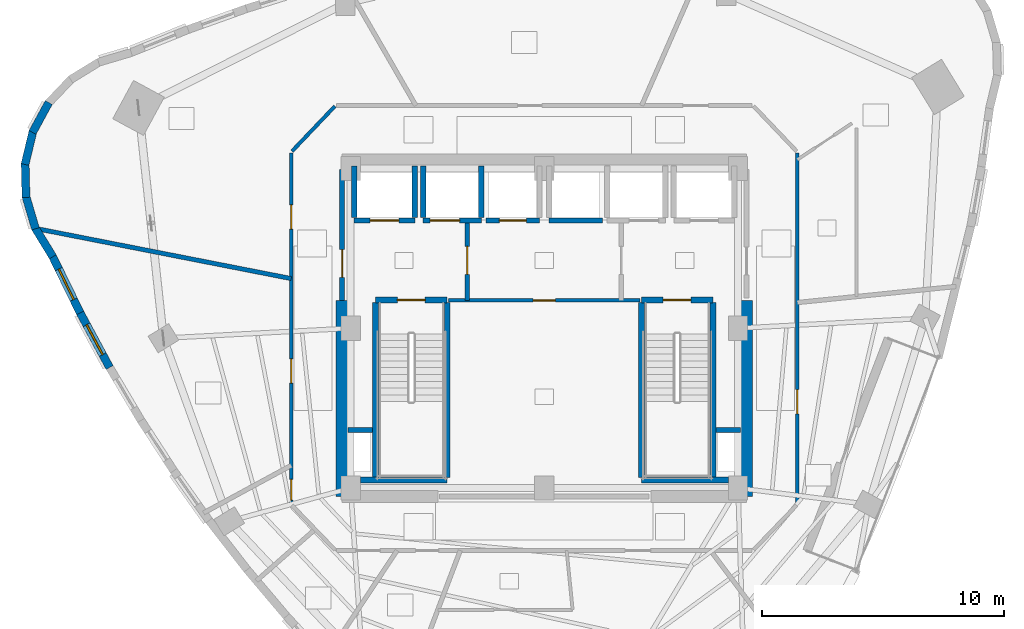
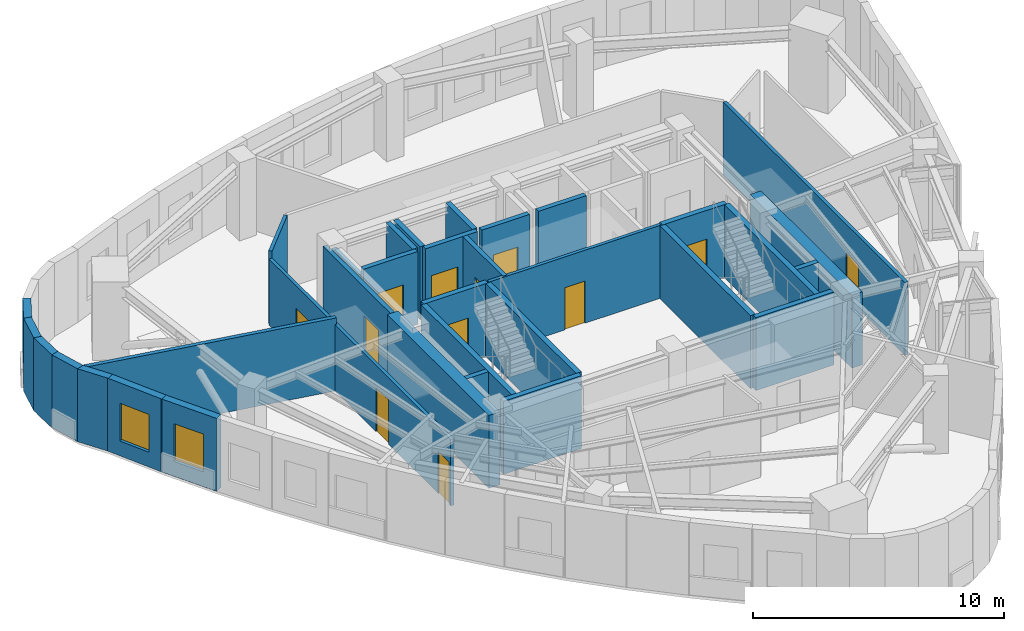
# One storey, part 5 of 10: 34 walls, 12 doors, 2 windows, 14 openings.
"""IFC4 building model written with IfcOpenShell, lengths in metres."""

import ifcopenshell
import ifcopenshell.guid

model = None  # the IFC model being written
_history = None  # IfcOwnerHistory: only IFC2X3 demands one
_inside = {}  # id of a spatial element -> (the spatial element, [elements in it])
_under = {}  # id of a project, library or spatial element -> (it, [spatial elements below it])
_declared = {}  # id of a project -> (the project, [libraries it declares])
_typed = {}  # id of a type object -> (the type object, [elements of that type])
_made_of = {}  # id of a material, layer set ... -> (it, [elements and type objects made of it])


def new_model(schema):
    """Start an empty IFC model of exactly this schema.

    Asked for "IFC4X3", IfcOpenShell would pick the latest addendum, in which some entities
    have other attributes; the version numbers below select the first issue.
    IFC2X3 requires an IfcOwnerHistory on every rooted entity: one is made here for all.
    """
    global model, _history
    if schema == "IFC4X3":
        model = ifcopenshell.file(schema_version=(4, 3, 0, 0))
    else:
        model = ifcopenshell.file(schema=schema)
    _inside.clear()
    _under.clear()
    _declared.clear()
    _typed.clear()
    _made_of.clear()
    _history = None
    if model.schema == "IFC2X3":
        org = make("IfcOrganization", Name="unknown")
        user = make(
            "IfcPersonAndOrganization",
            ThePerson=make("IfcPerson", FamilyName="unknown"),
            TheOrganization=org,
        )
        app = make(
            "IfcApplication",
            ApplicationDeveloper=org,
            Version="unknown",
            ApplicationFullName="unknown",
            ApplicationIdentifier="unknown",
        )
        _history = make(
            "IfcOwnerHistory",
            OwningUser=user,
            OwningApplication=app,
            ChangeAction="ADDED",
            CreationDate=0,
        )
    return model


def make(cls, **values):
    """One entity of the class cls with the attributes given. An attribute that is None is left unset."""
    return model.create_entity(
        cls, **{name: value for name, value in values.items() if value is not None}
    )


def rooted(cls, **values):
    """An entity with a GlobalId (a new one), such as an element, a storey or a relation."""
    return make(cls, GlobalId=ifcopenshell.guid.new(), OwnerHistory=_history, **values)


def si_unit(unit_type, name, prefix=None):
    """IfcSIUnit, for example si_unit("LENGTHUNIT", "METRE", prefix="MILLI")."""
    return make("IfcSIUnit", UnitType=unit_type, Prefix=prefix, Name=name)


def assignment(units):
    """IfcUnitAssignment: the units of a project."""
    return None if units is None else make("IfcUnitAssignment", Units=units)


def point(xyz):
    """IfcCartesianPoint."""
    return None if xyz is None else make("IfcCartesianPoint", Coordinates=xyz)


def direction(xyz):
    """IfcDirection."""
    return None if xyz is None else make("IfcDirection", DirectionRatios=xyz)


def frame(location, z_axis=None, x_axis=None):
    """IfcAxis2Placement3D, a coordinate frame: its origin and axes. An axis left out is left unset."""
    return make(
        "IfcAxis2Placement3D",
        Location=point(location),
        Axis=direction(z_axis),
        RefDirection=direction(x_axis),
    )


def frame_2d(location, x_axis=None):
    """IfcAxis2Placement2D, a coordinate frame in the plane: its origin and x axis."""
    return make(
        "IfcAxis2Placement2D", Location=point(location), RefDirection=direction(x_axis)
    )


def origin():
    """The frame at (0, 0, 0) with its axes left unset."""
    return frame((0.0, 0.0, 0.0))


def place(relative_to, where):
    """IfcLocalPlacement: puts the frame where relative to a parent placement (None: the world)."""
    return make(
        "IfcLocalPlacement", PlacementRelTo=relative_to, RelativePlacement=where
    )


def context(
    kind, dimensions, precision=None, world=None, true_north=None, identifier=None
):
    """IfcGeometricRepresentationContext, for example the 3D "Model" context."""
    return make(
        "IfcGeometricRepresentationContext",
        ContextIdentifier=identifier,
        ContextType=kind,
        CoordinateSpaceDimension=dimensions,
        Precision=precision,
        WorldCoordinateSystem=world,
        TrueNorth=true_north,
    )


def subcontext(parent, identifier, kind, view, scale=None):
    """IfcGeometricRepresentationSubContext, for example "Body" below "Model"."""
    return make(
        "IfcGeometricRepresentationSubContext",
        ContextIdentifier=identifier,
        ContextType=kind,
        ParentContext=parent,
        TargetScale=scale,
        TargetView=view,
    )


def project(units=None, contexts=None):
    """IfcProject with its units and contexts."""
    return rooted(
        "IfcProject",
        Name="project",
        RepresentationContexts=contexts,
        UnitsInContext=assignment(units),
    )


def spatial(cls, under=None, at=None, **own):
    """A site, building, storey or space (cls), placed at a placement, below another one or the project."""
    s = rooted(cls, ObjectPlacement=at, **own)
    if under is not None:
        _under.setdefault(under.id(), (under, []))[1].append(s)
    return s


def profile(cls, at=None, kind="AREA", **sizes):
    """A parametric profile (cls). Its sizes go by their IFC names, for example OverallWidth=200.0."""
    return make(cls, ProfileType=kind, Position=at, **sizes)


def rectangle(**sizes):
    """IfcRectangleProfileDef."""
    return profile("IfcRectangleProfileDef", **sizes)


def extrude(swept, where, along, depth):
    """IfcExtrudedAreaSolid: the profile swept, set in the frame where, extruded along a direction by depth."""
    return make(
        "IfcExtrudedAreaSolid",
        SweptArea=swept,
        Position=where,
        ExtrudedDirection=direction(along),
        Depth=depth,
    )


def shape(context_of_items, identifier, shape_type, items):
    """IfcShapeRepresentation: the items that make up one representation, for example the "Body"."""
    return make(
        "IfcShapeRepresentation",
        ContextOfItems=context_of_items,
        RepresentationIdentifier=identifier,
        RepresentationType=shape_type,
        Items=items,
    )


def material(Name=None, Category=None):
    """IfcMaterial."""
    return make("IfcMaterial", Name=Name, Category=Category)


def layer(
    of_material, thickness, ventilated=None, Name=None, Category=None, Priority=None
):
    """IfcMaterialLayer: one layer of a wall or slab, of a material (None: an air gap)."""
    return make(
        "IfcMaterialLayer",
        Material=of_material,
        LayerThickness=thickness,
        IsVentilated=ventilated,
        Name=Name,
        Category=Category,
        Priority=Priority,
    )


def layer_set(layers, Name=None):
    """IfcMaterialLayerSet."""
    return make("IfcMaterialLayerSet", MaterialLayers=layers, LayerSetName=Name)


def made_of(thing, what):
    """Note that an element or type object is made of a material, layer set ...; save() writes the relation."""
    if what is not None:
        _made_of.setdefault(what.id(), (what, []))[1].append(thing)
    return thing


def type_object(cls, material=None, **own):
    """A type object (cls), such as IfcWallType, which elements share."""
    return made_of(rooted(cls, **own), material)


def element(
    cls,
    number,
    at=None,
    inside=None,
    cuts=None,
    type_object=None,
    material=None,
    context=None,
    identifier="Body",
    shape_type=None,
    held_by="IfcProductDefinitionShape",
    body=None,
    shapes=None,
    **own,
):
    """One element of the class cls, such as IfcWall. Its Tag is "e" and its number.

    at: its placement. inside: the storey or other place that contains it. cuts: it is an
    opening in that element (IfcRelVoidsElement). A single representation is given by context,
    identifier, shape_type and body (its items); several are given by shapes. held_by: the class
    of the entity that holds the representations. save() writes the other relations.
    """
    e = rooted(cls, Tag="e%d" % number, ObjectPlacement=at, **own)
    if body is not None:
        shapes = [shape(context, identifier, shape_type, body)]
    if shapes is not None:
        e.Representation = make(held_by, Representations=shapes)
    if inside is not None:
        _inside.setdefault(inside.id(), (inside, []))[1].append(e)
    if cuts is not None:
        rooted(
            "IfcRelVoidsElement", RelatingBuildingElement=cuts, RelatedOpeningElement=e
        )
    if type_object is not None:
        _typed.setdefault(type_object.id(), (type_object, []))[1].append(e)
    return made_of(e, material)


def fill(opening, filler):
    """IfcRelFillsElement: the door or window that sits in an opening."""
    return rooted(
        "IfcRelFillsElement",
        RelatingOpeningElement=opening,
        RelatedBuildingElement=filler,
    )


def aggregate(whole, parts):
    """IfcRelAggregates: a whole, such as a stair, and the parts it consists of."""
    return rooted("IfcRelAggregates", RelatingObject=whole, RelatedObjects=parts)


def save(model, path):
    """Write the relations noted so far, then the file.

    IfcRelAggregates (storeys below a building ...), IfcRelContainedInSpatialStructure (elements
    in a storey), IfcRelDefinesByType, IfcRelAssociatesMaterial and IfcRelDeclares: one each for
    every whole, place, type object, material and project.
    """
    for whole, parts in _under.values():
        aggregate(whole, parts)
    for where, things in _inside.values():
        rooted(
            "IfcRelContainedInSpatialStructure",
            RelatedElements=things,
            RelatingStructure=where,
        )
    for kind, things in _typed.values():
        rooted("IfcRelDefinesByType", RelatedObjects=things, RelatingType=kind)
    for what, things in _made_of.values():
        rooted("IfcRelAssociatesMaterial", RelatedObjects=things, RelatingMaterial=what)
    for by, libraries in _declared.values():
        rooted("IfcRelDeclares", RelatingContext=by, RelatedDefinitions=libraries)
    model.write(path)


model = new_model("IFC4")

# Units and contexts
model_context = context("Model", 3, precision=1e-05, world=origin(), true_north=direction((0.0, 1.0)))
body_context = subcontext(model_context, "Body", "Model", "MODEL_VIEW")
ifc_project = project(units=[si_unit("LENGTHUNIT", "METRE"), si_unit("AREAUNIT", "SQUARE_METRE"), si_unit("VOLUMEUNIT", "CUBIC_METRE"), si_unit("PLANEANGLEUNIT", "RADIAN"), si_unit("MASSUNIT", "GRAM", prefix="KILO")], contexts=[model_context])

# Site, building, storey
site_placement = place(None, origin())
site = spatial("IfcSite", under=ifc_project, at=site_placement, CompositionType="ELEMENT")
building_placement = place(site_placement, origin())
building = spatial("IfcBuilding", under=site, at=building_placement, Name="Ndelora Gate Hotel", CompositionType="ELEMENT")
storey_placement = place(building_placement, frame((0.0, 0.0, 243.550048828125)))
storey = spatial("IfcBuildingStorey", under=building, at=storey_placement, Name="L61", CompositionType="ELEMENT", Elevation=243.550048828125)

# Walls
ifc_material_1 = material(Name="Acoustic Double-Stud Gypsum Assembly", Category="gypsum")
ifc_layer_1 = layer(ifc_material_1, 0.179931640625)
ifc_layer_set_1 = layer_set([ifc_layer_1], Name="Acoustic Double-Stud Gypsum Assembly")
wall_type_1 = type_object("IfcWallType", Name="WL-ACOUST-180", PredefinedType="PARTITIONING", material=ifc_layer_set_1)
wall_1_placement = place(storey_placement, frame((-10.449951171875, 2.0498046875, 0.0), z_axis=(0.0, 0.0, 1.0), x_axis=(-0.981304682167, 0.192460699252, 0.0)))
element("IfcWall", 1, at=wall_1_placement, inside=storey, type_object=wall_type_1, Name="L61 Interior Wall IW-3", PredefinedType="PARTITIONING", context=body_context, shape_type="SweptSolid", body=[
    extrude(rectangle(XDim=10.767333984375, YDim=0.179931640625, at=frame_2d((5.3837890625, 0.0))), origin(), (0.0, 0.0, 1.0), 3.550048828125),
])
ifc_material_2 = material(Name="Clay Brick Masonry", Category="masonry")
ifc_layer_2 = layer(ifc_material_2, 0.330078125)
ifc_layer_set_2 = layer_set([ifc_layer_2], Name="Clay Brick Masonry")
wall_type_2 = type_object("IfcWallType", Name="WL-BRICK-330", PredefinedType="SOLIDWALL", material=ifc_layer_set_2)
wall_2_placement = place(storey_placement, frame((-21.13720703125, 8.08740234375, 0.0), z_axis=(0.0, 0.0, 1.0), x_axis=(0.477076549129, 0.878861744685, 0.0)))
element("IfcWall", 2, at=wall_2_placement, inside=storey, type_object=wall_type_2, Name="L61 Tower Brick Pier-and-Spandrel Wall TWR-4", PredefinedType="SOLIDWALL", context=body_context, shape_type="SweptSolid", body=[
    extrude(rectangle(XDim=1.4072265625, YDim=0.330078125, at=frame_2d((0.70361328125, 0.0))), origin(), (0.0, 0.0, 1.0), 3.550048828125),
])
for number, where, z_axis, x_axis, name in (
    (3, (-21.447998046875, 6.764892578125, 0.0), (0.0, 0.0, 1.0), (0.233464793771, 0.972365255482, 0.0), "L61 Tower Brick Pier-and-Spandrel Wall TWR-5"),
    (4, (-21.406005859375, 5.4072265625, 0.0), (0.0, 0.0, 1.0), (-0.02619264168, 0.999656913907, 0.0), "L61 Tower Brick Pier-and-Spandrel Wall TWR-6"),
):
    element("IfcWall", number, at=place(storey_placement, frame(where, z_axis=z_axis, x_axis=x_axis)), inside=storey, type_object=wall_type_2, Name=name, PredefinedType="SOLIDWALL", context=body_context, shape_type="SweptSolid", body=[
        extrude(rectangle(XDim=1.407470703125, YDim=0.330078125, at=frame_2d((0.70361328125, 0.0))), origin(), (0.0, 0.0, 1.0), 3.550048828125),
    ])
wall_3_placement = place(storey_placement, frame((-21.013916015625, 4.106689453125, 0.0), z_axis=(0.0, 0.0, 1.0), x_axis=(-0.284100140437, 0.958794613149, 0.0)))
element("IfcWall", 5, at=wall_3_placement, inside=storey, type_object=wall_type_2, Name="L61 Tower Brick Pier-and-Spandrel Wall TWR-7", PredefinedType="SOLIDWALL", context=body_context, shape_type="SweptSolid", body=[
    extrude(rectangle(XDim=1.40771484375, YDim=0.330078125, at=frame_2d((0.703857421875, 0.0))), origin(), (0.0, 0.0, 1.0), 3.550048828125),
])
wall_4_placement = place(storey_placement, frame((-20.298828125, 2.951904296875, 0.0), z_axis=(0.0, 0.0, 1.0), x_axis=(-0.522431898615, 0.852681013809, 0.0)))
element("IfcWall", 6, at=wall_4_placement, inside=storey, type_object=wall_type_2, Name="L61 Tower Brick Pier-and-Spandrel Wall TWR-8", PredefinedType="SOLIDWALL", context=body_context, shape_type="SweptSolid", body=[
    extrude(rectangle(XDim=1.407470703125, YDim=0.330078125, at=frame_2d((0.70361328125, 0.0))), origin(), (0.0, 0.0, 1.0), 3.550048828125),
])

# Wall, opening, window
wall_5_placement = place(storey_placement, frame((-19.1689453125, 0.630615234375, 0.0), z_axis=(0.0, 0.0, 1.0), x_axis=(-0.438509531978, 0.898726538144, 0.0)))
wall_5 = element("IfcWall", 7, at=wall_5_placement, inside=storey, type_object=wall_type_2, Name="L61 Tower Brick Pier-and-Spandrel Wall TWR-9", PredefinedType="SOLIDWALL", context=body_context, shape_type="SweptSolid", body=[
    extrude(rectangle(XDim=2.6318359375, YDim=0.330078125, at=frame_2d((1.31591796875, 0.0))), origin(), (0.0, 0.0, 1.0), 3.550048828125),
])
opening_1_placement = place(wall_5_placement, frame((0.615966796875, 0.0, 0.719970703125)))
opening_1 = element("IfcOpeningElement", 8, at=opening_1_placement, cuts=wall_5, Name="Opening W02", PredefinedType="OPENING", context=body_context, shape_type="SweptSolid", body=[
    extrude(rectangle(XDim=1.39990234375, YDim=1.840087890625, at=frame_2d((0.699951171875, 0.919921875))), frame((0.0, 0.175048828125, 0.0), z_axis=(0.0, -1.0, 0.0), x_axis=(1.0, 0.0, 0.0)), (0.0, 0.0, 1.0), 0.35009765625),
])
ifc_material_3 = material(Name="Insulated Low-E Double Glazing in Bronze Aluminium Frame", Category="aluminium")
window_type = type_object("IfcWindowType", Name="WN-DEEP-1400", PartitioningType="SINGLE_PANEL", PredefinedType="WINDOW", material=ifc_material_3)
window_1_placement = place(opening_1_placement, origin())
window_1 = element("IfcWindow", 9, at=window_1_placement, inside=storey, type_object=window_type, Name="L61 Deep-Set Brick-Pier Window W02", OverallHeight=1.840087890625, OverallWidth=1.39990234375, PartitioningType="SINGLE_PANEL", PredefinedType="WINDOW", context=body_context, shape_type="SweptSolid", body=[
    extrude(rectangle(XDim=1.39990234375, YDim=1.840087890625, at=frame_2d((0.699951171875, 0.919921875))), frame((0.0, 0.030029296875, 0.0), z_axis=(0.0, -1.0, 0.0), x_axis=(1.0, 0.0, 0.0)), (0.0, 0.0, 1.0), 0.06005859375),
])
fill(opening_1, window_1)

wall_6_placement = place(storey_placement, frame((-17.9541015625, -1.622802734375, 0.0), z_axis=(0.0, 0.0, 1.0), x_axis=(-0.474244845608, 0.880392995437, 0.0)))
wall_6 = element("IfcWall", 10, at=wall_6_placement, inside=storey, type_object=wall_type_2, Name="L61 Tower Brick Pier-and-Spandrel Wall TWR-10", PredefinedType="SOLIDWALL", context=body_context, shape_type="SweptSolid", body=[
    extrude(rectangle(XDim=2.610107421875, YDim=0.330078125, at=frame_2d((1.30517578125, 0.0))), origin(), (0.0, 0.0, 1.0), 3.550048828125),
])
opening_2_placement = place(wall_6_placement, frame((0.60498046875, 0.0, 0.719970703125)))
opening_2 = element("IfcOpeningElement", 11, at=opening_2_placement, cuts=wall_6, Name="Opening W02", PredefinedType="OPENING", context=body_context, shape_type="SweptSolid", body=[
    extrude(rectangle(XDim=1.39990234375, YDim=1.840087890625, at=frame_2d((0.699951171875, 0.919921875))), frame((0.0, 0.175048828125, 0.0), z_axis=(0.0, -1.0, 0.0), x_axis=(1.0, 0.0, 0.0)), (0.0, 0.0, 1.0), 0.35009765625),
])
window_2_placement = place(opening_2_placement, origin())
window_2 = element("IfcWindow", 12, at=window_2_placement, inside=storey, type_object=window_type, Name="L61 Deep-Set Brick-Pier Window W02", OverallHeight=1.840087890625, OverallWidth=1.39990234375, PartitioningType="SINGLE_PANEL", PredefinedType="WINDOW", context=body_context, shape_type="SweptSolid", body=[
    extrude(rectangle(XDim=1.39990234375, YDim=1.840087890625, at=frame_2d((0.699951171875, 0.919921875))), frame((0.0, 0.030029296875, 0.0), z_axis=(0.0, -1.0, 0.0), x_axis=(1.0, 0.0, 0.0)), (0.0, 0.0, 1.0), 0.06005859375),
])
fill(opening_2, window_2)

# Walls
ifc_material_4 = material(Name="Concrete C50/60", Category="concrete")
ifc_layer_3 = layer(ifc_material_4, 0.5)
ifc_layer_set_3 = layer_set([ifc_layer_3], Name="Concrete C50/60")
wall_type_3 = type_object("IfcWallType", Name="WL-CORE-500", PredefinedType="SHEAR", material=ifc_layer_set_3)
for number, where, z_axis, x_axis, name in (
    (13, (-8.35009765625, -6.949951171875, 0.0), (0.0, 0.0, 1.0), (0.0, 1.0, 0.0), "L61 Core Shear Wall W"),
    (14, (8.35009765625, -6.949951171875, 0.0), (0.0, 0.0, 1.0), (0.0, 1.0, 0.0), "L61 Core Shear Wall E"),
):
    element("IfcWall", number, at=place(storey_placement, frame(where, z_axis=z_axis, x_axis=x_axis)), inside=storey, type_object=wall_type_3, Name=name, PredefinedType="SHEAR", context=body_context, shape_type="SweptSolid", body=[
        extrude(rectangle(XDim=8.099853515625, YDim=0.5, at=frame_2d((4.0498046875, 0.0))), origin(), (0.0, 0.0, 1.0), 3.550048828125),
    ])

# Wall, opening, door
ifc_material_5 = material(Name="Concrete C40/50", Category="concrete")
ifc_layer_4 = layer(ifc_material_5, 0.199951171875)
ifc_layer_set_4 = layer_set([ifc_layer_4], Name="Concrete C40/50")
wall_type_4 = type_object("IfcWallType", Name="WL-FIRE-200", PredefinedType="PARTITIONING", material=ifc_layer_set_4)
wall_7_placement = place(storey_placement, frame((-3.179931640625, 1.14990234375, 0.0), z_axis=(0.0, 0.0, 1.0), x_axis=(0.0, 1.0, 0.0)))
wall_7 = element("IfcWall", 15, at=wall_7_placement, inside=storey, type_object=wall_type_4, Name="L61 Interior Wall IW-2", PredefinedType="PARTITIONING", context=body_context, shape_type="SweptSolid", body=[
    extrude(rectangle(XDim=3.300048828125, YDim=0.199951171875, at=frame_2d((1.64990234375, 0.0))), origin(), (0.0, 0.0, 1.0), 3.550048828125),
])
opening_3_placement = place(wall_7_placement, frame((1.080078125, 0.0, 0.0)))
opening_3 = element("IfcOpeningElement", 16, at=opening_3_placement, cuts=wall_7, Name="Opening FD1", PredefinedType="OPENING", context=body_context, shape_type="SweptSolid", body=[
    extrude(rectangle(XDim=1.14990234375, YDim=2.14990234375, at=frame_2d((0.574951171875, 1.074951171875))), frame((0.0, 0.10986328125, 0.0), z_axis=(0.0, -1.0, 0.0), x_axis=(1.0, 0.0, 0.0)), (0.0, 0.0, 1.0), 0.219970703125),
])
ifc_material_6 = material(Name="Fire-Rated Timber-Veneer Steel Core", Category="steel")
door_type_1 = type_object("IfcDoorType", Name="DR-FD60", OperationType="SINGLE_SWING_LEFT", PredefinedType="DOOR", material=ifc_material_6)
door_1_placement = place(opening_3_placement, origin())
door_1 = element("IfcDoor", 17, at=door_1_placement, inside=storey, type_object=door_type_1, Name="L61 Firefighting Lobby West Door", OperationType="SINGLE_SWING_RIGHT", OverallHeight=2.14990234375, OverallWidth=1.14990234375, PredefinedType="DOOR", context=body_context, shape_type="SweptSolid", body=[
    extrude(rectangle(XDim=1.14990234375, YDim=2.14990234375, at=frame_2d((0.574951171875, 1.074951171875))), frame((0.0, 0.02490234375, 0.0), z_axis=(0.0, -1.0, 0.0), x_axis=(1.0, 0.0, 0.0)), (0.0, 0.0, 1.0), 0.050048828125),
])
fill(opening_3, door_1)

wall_8_placement = place(storey_placement, frame((-8.35009765625, 1.14990234375, 0.0), z_axis=(0.0, 0.0, 1.0), x_axis=(0.0, 1.0, 0.0)))
wall_8 = element("IfcWall", 18, at=wall_8_placement, inside=storey, type_object=wall_type_4, Name="L61 Interior Wall IW-2", PredefinedType="PARTITIONING", context=body_context, shape_type="SweptSolid", body=[
    extrude(rectangle(XDim=5.400146484375, YDim=0.199951171875, at=frame_2d((2.7001953125, 0.0))), origin(), (0.0, 0.0, 1.0), 3.550048828125),
])
opening_4_placement = place(wall_8_placement, frame((0.949951171875, 0.0, 0.0)))
opening_4 = element("IfcOpeningElement", 19, at=opening_4_placement, cuts=wall_8, Name="Opening FD1", PredefinedType="OPENING", context=body_context, shape_type="SweptSolid", body=[
    extrude(rectangle(XDim=1.14990234375, YDim=2.14990234375, at=frame_2d((0.574951171875, 1.074951171875))), frame((0.0, 0.10986328125, 0.0), z_axis=(0.0, -1.0, 0.0), x_axis=(1.0, 0.0, 0.0)), (0.0, 0.0, 1.0), 0.219970703125),
])
door_2_placement = place(opening_4_placement, origin())
door_2 = element("IfcDoor", 20, at=door_2_placement, inside=storey, type_object=door_type_1, Name="L61 Firefighting Lobby West Corridor Door", OperationType="SINGLE_SWING_LEFT", OverallHeight=2.14990234375, OverallWidth=1.14990234375, PredefinedType="DOOR", context=body_context, shape_type="SweptSolid", body=[
    extrude(rectangle(XDim=1.14990234375, YDim=2.14990234375, at=frame_2d((0.574951171875, 1.074951171875))), frame((0.0, 0.02490234375, 0.0), z_axis=(0.0, -1.0, 0.0), x_axis=(1.0, 0.0, 0.0)), (0.0, 0.0, 1.0), 0.050048828125),
])
fill(opening_4, door_2)

ifc_material_7 = material(Name="Fire-Rated Gypsum Stud Partition", Category="gypsum")
ifc_layer_5 = layer(ifc_material_7, 0.14990234375)
ifc_layer_set_5 = layer_set([ifc_layer_5], Name="Fire-Rated Gypsum Stud Partition")
wall_type_5 = type_object("IfcWallType", Name="WL-PART-150", PredefinedType="PARTITIONING", material=ifc_layer_set_5)
wall_9_placement = place(storey_placement, frame((3.949951171875, 1.14990234375, 0.0), z_axis=(0.0, 0.0, 1.0), x_axis=(-1.0, 0.0, 0.0)))
wall_9 = element("IfcWall", 21, at=wall_9_placement, inside=storey, type_object=wall_type_5, Name="L61 Interior Wall IW-5", PredefinedType="PARTITIONING", context=body_context, shape_type="SweptSolid", body=[
    extrude(rectangle(XDim=7.89990234375, YDim=0.14990234375, at=frame_2d((3.949951171875, 0.0))), origin(), (0.0, 0.0, 1.0), 3.550048828125),
])
opening_5_placement = place(wall_9_placement, frame((3.489990234375, 0.0, 0.0)))
opening_5 = element("IfcOpeningElement", 22, at=opening_5_placement, cuts=wall_9, Name="Opening D04", PredefinedType="OPENING", context=body_context, shape_type="SweptSolid", body=[
    extrude(rectangle(XDim=0.919921875, YDim=2.050048828125, at=frame_2d((0.4599609375, 1.02490234375))), frame((0.0, 0.0849609375, 0.0), z_axis=(0.0, -1.0, 0.0), x_axis=(1.0, 0.0, 0.0)), (0.0, 0.0, 1.0), 0.169921875),
])
ifc_material_8 = material(Name="Painted Steel Core Service Door", Category="steel")
door_type_2 = type_object("IfcDoorType", Name="DR-SER-920", OperationType="SINGLE_SWING_LEFT", PredefinedType="DOOR", material=ifc_material_8)
door_3_placement = place(opening_5_placement, origin())
door_3 = element("IfcDoor", 23, at=door_3_placement, inside=storey, type_object=door_type_2, Name="L61 Core Electrical and Linen Service Store Door", OperationType="SINGLE_SWING_LEFT", OverallHeight=2.050048828125, OverallWidth=0.919921875, PredefinedType="DOOR", context=body_context, shape_type="SweptSolid", body=[
    extrude(rectangle(XDim=0.919921875, YDim=2.050048828125, at=frame_2d((0.4599609375, 1.02490234375))), frame((0.0, 0.02490234375, 0.0), z_axis=(0.0, -1.0, 0.0), x_axis=(1.0, 0.0, 0.0)), (0.0, 0.0, 1.0), 0.050048828125),
])
fill(opening_5, door_3)

wall_10_placement = place(storey_placement, frame((10.449951171875, 7.239990234375, 0.0), z_axis=(0.0, 0.0, 1.0), x_axis=(0.0, -1.0, 0.0)))
wall_10 = element("IfcWall", 24, at=wall_10_placement, inside=storey, type_object=wall_type_5, Name="L61 Interior Wall IW-5", PredefinedType="PARTITIONING", context=body_context, shape_type="SweptSolid", body=[
    extrude(rectangle(XDim=14.47998046875, YDim=0.14990234375, at=frame_2d((7.239990234375, 0.0))), origin(), (0.0, 0.0, 1.0), 3.550048828125),
])
opening_6_placement = place(wall_10_placement, frame((9.779296875, 0.0, 0.0)))
opening_6 = element("IfcOpeningElement", 25, at=opening_6_placement, cuts=wall_10, Name="Opening D01", PredefinedType="OPENING", context=body_context, shape_type="SweptSolid", body=[
    extrude(rectangle(XDim=1.0, YDim=2.14990234375, at=frame_2d((0.5, 1.074951171875))), frame((0.0, 0.0849609375, 0.0), z_axis=(0.0, -1.0, 0.0), x_axis=(1.0, 0.0, 0.0)), (0.0, 0.0, 1.0), 0.169921875),
])
ifc_material_9 = material(Name="Acoustic Hardwood Guest Entrance Door", Category="wood")
door_type_3 = type_object("IfcDoorType", Name="DR-COR-1000", OperationType="SINGLE_SWING_LEFT", PredefinedType="DOOR", material=ifc_material_9)
door_4_placement = place(opening_6_placement, origin())
door_4 = element("IfcDoor", 26, at=door_4_placement, inside=storey, type_object=door_type_3, Name="L61 Sky Garden Tea Dining Room Entrance Door", OperationType="SINGLE_SWING_LEFT", OverallHeight=2.14990234375, OverallWidth=1.0, PredefinedType="DOOR", context=body_context, shape_type="SweptSolid", body=[
    extrude(rectangle(XDim=1.0, YDim=2.14990234375, at=frame_2d((0.5, 1.074951171875))), frame((0.0, 0.02490234375, 0.0), z_axis=(0.0, -1.0, 0.0), x_axis=(1.0, 0.0, 0.0)), (0.0, 0.0, 1.0), 0.050048828125),
])
fill(opening_6, door_4)

# Wall
wall_11_placement = place(storey_placement, frame((-10.42236328125, 7.30908203125, 0.0), z_axis=(0.0, 0.0, 1.0), x_axis=(0.689960858356, 0.723846678473, 0.0)))
element("IfcWall", 27, at=wall_11_placement, inside=storey, type_object=wall_type_5, Name="L61 Interior Wall IW-5", PredefinedType="PARTITIONING", context=body_context, shape_type="SweptSolid", body=[
    extrude(rectangle(XDim=2.572021484375, YDim=0.14990234375, at=frame_2d((1.2861328125, 0.0))), origin(), (0.0, 0.0, 1.0), 3.550048828125),
])

# Wall, openings, doors
wall_12_placement = place(storey_placement, frame((-10.449951171875, -7.239990234375, 0.0), z_axis=(0.0, 0.0, 1.0), x_axis=(0.0, 1.0, 0.0)))
wall_12 = element("IfcWall", 28, at=wall_12_placement, inside=storey, type_object=wall_type_5, Name="L61 Interior Wall IW-5", PredefinedType="PARTITIONING", context=body_context, shape_type="SweptSolid", body=[
    extrude(rectangle(XDim=14.47998046875, YDim=0.14990234375, at=frame_2d((7.239990234375, 0.0))), origin(), (0.0, 0.0, 1.0), 3.22998046875),
])
opening_7_placement = place(wall_12_placement, frame((0.139892578125, 0.0, 0.0)))
opening_7 = element("IfcOpeningElement", 29, at=opening_7_placement, cuts=wall_12, Name="Opening D09", PredefinedType="OPENING", context=body_context, shape_type="SweptSolid", body=[
    extrude(rectangle(XDim=0.860107421875, YDim=2.050048828125, at=frame_2d((0.43017578125, 1.02490234375))), frame((0.0, 0.0849609375, 0.0), z_axis=(0.0, -1.0, 0.0), x_axis=(1.0, 0.0, 0.0)), (0.0, 0.0, 1.0), 0.169921875),
])
opening_8_placement = place(wall_12_placement, frame((4.972900390625, 0.0, 0.0)))
opening_8 = element("IfcOpeningElement", 30, at=opening_8_placement, cuts=wall_12, Name="Opening D01", PredefinedType="OPENING", context=body_context, shape_type="SweptSolid", body=[
    extrude(rectangle(XDim=1.0, YDim=2.14990234375, at=frame_2d((0.5, 1.074951171875))), frame((0.0, 0.0849609375, 0.0), z_axis=(0.0, -1.0, 0.0), x_axis=(1.0, 0.0, 0.0)), (0.0, 0.0, 1.0), 0.169921875),
])
opening_9_placement = place(wall_12_placement, frame((11.334716796875, 0.0, 0.0)))
opening_9 = element("IfcOpeningElement", 31, at=opening_9_placement, cuts=wall_12, Name="Opening D01", PredefinedType="OPENING", context=body_context, shape_type="SweptSolid", body=[
    extrude(rectangle(XDim=1.0, YDim=2.14990234375, at=frame_2d((0.5, 1.074951171875))), frame((0.0, 0.0849609375, 0.0), z_axis=(0.0, -1.0, 0.0), x_axis=(1.0, 0.0, 0.0)), (0.0, 0.0, 1.0), 0.169921875),
])
door_5_placement = place(opening_8_placement, origin())
door_5 = element("IfcDoor", 32, at=door_5_placement, inside=storey, type_object=door_type_3, Name="L61 Private Chef Service Kitchen Entrance Door", OperationType="SINGLE_SWING_RIGHT", OverallHeight=2.14990234375, OverallWidth=1.0, PredefinedType="DOOR", context=body_context, shape_type="SweptSolid", body=[
    extrude(rectangle(XDim=1.0, YDim=2.14990234375, at=frame_2d((0.5, 1.074951171875))), frame((0.0, 0.02490234375, 0.0), z_axis=(0.0, -1.0, 0.0), x_axis=(1.0, 0.0, 0.0)), (0.0, 0.0, 1.0), 0.050048828125),
])
fill(opening_8, door_5)
door_6_placement = place(opening_9_placement, origin())
door_6 = element("IfcDoor", 33, at=door_6_placement, inside=storey, type_object=door_type_3, Name="L61 State Banquet Dining Room Entrance Door", OperationType="SINGLE_SWING_RIGHT", OverallHeight=2.14990234375, OverallWidth=1.0, PredefinedType="DOOR", context=body_context, shape_type="SweptSolid", body=[
    extrude(rectangle(XDim=1.0, YDim=2.14990234375, at=frame_2d((0.5, 1.074951171875))), frame((0.0, 0.02490234375, 0.0), z_axis=(0.0, -1.0, 0.0), x_axis=(1.0, 0.0, 0.0)), (0.0, 0.0, 1.0), 0.050048828125),
])
fill(opening_9, door_6)
ifc_material_10 = material(Name="Painted Steel Compact Service Door", Category="steel")
door_type_4 = type_object("IfcDoorType", Name="DR-SER-860", OperationType="SINGLE_SWING_LEFT", PredefinedType="DOOR", material=ifc_material_10)
door_7_placement = place(opening_7_placement, origin())
door_7 = element("IfcDoor", 34, at=door_7_placement, inside=storey, type_object=door_type_4, Name="L61 Female Public Restroom Entrance Door", OperationType="SINGLE_SWING_RIGHT", OverallHeight=2.050048828125, OverallWidth=0.860107421875, PredefinedType="DOOR", context=body_context, shape_type="SweptSolid", body=[
    extrude(rectangle(XDim=0.860107421875, YDim=2.050048828125, at=frame_2d((0.43017578125, 1.02490234375))), frame((0.0, 0.02490234375, 0.0), z_axis=(0.0, -1.0, 0.0), x_axis=(1.0, 0.0, 0.0)), (0.0, 0.0, 1.0), 0.050048828125),
])
fill(opening_7, door_7)

# Walls
ifc_layer_6 = layer(ifc_material_5, 0.219970703125)
ifc_layer_set_6 = layer_set([ifc_layer_6], Name="Concrete C40/50")
wall_type_6 = type_object("IfcWallType", Name="WL-SHAFT-220", PredefinedType="PARTITIONING", material=ifc_layer_set_6)
for number, where, z_axis, x_axis, name in (
    (35, (-8.10009765625, -4.199951171875, 0.0), (0.0, 0.0, 1.0), (1.0, 0.0, 0.0), "L61 Interior Wall IW-1"),
    (36, (7.090087890625, -4.199951171875, 0.0), (0.0, 0.0, 1.0), (1.0, 0.0, 0.0), "L61 Interior Wall IW-1"),
):
    element("IfcWall", number, at=place(storey_placement, frame(where, z_axis=z_axis, x_axis=x_axis)), inside=storey, type_object=wall_type_6, Name=name, PredefinedType="PARTITIONING", context=body_context, shape_type="SweptSolid", body=[
        extrude(rectangle(XDim=1.010009765625, YDim=0.219970703125, at=frame_2d((0.5048828125, 0.0))), origin(), (0.0, 0.0, 1.0), 3.550048828125),
    ])

# Wall, opening, door
wall_13_placement = place(storey_placement, frame((-7.85009765625, 4.449951171875, 0.0), z_axis=(0.0, 0.0, 1.0), x_axis=(1.0, 0.0, 0.0)))
wall_13 = element("IfcWall", 37, at=wall_13_placement, inside=storey, type_object=wall_type_6, Name="L61 Interior Wall IW-1", PredefinedType="PARTITIONING", context=body_context, shape_type="SweptSolid", body=[
    extrude(rectangle(XDim=2.5, YDim=0.219970703125, at=frame_2d((1.25, 0.0))), origin(), (0.0, 0.0, 1.0), 3.550048828125),
])
opening_10_placement = place(wall_13_placement, frame((0.659912109375, 0.0, 0.0)))
opening_10 = element("IfcOpeningElement", 38, at=opening_10_placement, cuts=wall_13, Name="Opening LD5", PredefinedType="OPENING", context=body_context, shape_type="SweptSolid", body=[
    extrude(rectangle(XDim=1.179931640625, YDim=2.14990234375, at=frame_2d((0.58984375, 1.074951171875))), frame((0.0, 0.1201171875, 0.0), z_axis=(0.0, -1.0, 0.0), x_axis=(1.0, 0.0, 0.0)), (0.0, 0.0, 1.0), 0.239990234375),
])
ifc_material_11 = material(Name="Firefighting Lift Stainless Sliding Landing Door", Category="metal")
door_type_5 = type_object("IfcDoorType", Name="DR-LD5", OperationType="DOUBLE_DOOR_SLIDING", PredefinedType="DOOR", material=ifc_material_11)
door_8_placement = place(opening_10_placement, origin())
door_8 = element("IfcDoor", 39, at=door_8_placement, inside=storey, type_object=door_type_5, Name="L61 Lift Landing Sliding Door FFL1", OperationType="DOUBLE_DOOR_SLIDING", OverallHeight=2.14990234375, OverallWidth=1.179931640625, PredefinedType="DOOR", context=body_context, shape_type="SweptSolid", body=[
    extrude(rectangle(XDim=1.179931640625, YDim=2.14990234375, at=frame_2d((0.58984375, 1.074951171875))), frame((0.0, 0.02490234375, 0.0), z_axis=(0.0, -1.0, 0.0), x_axis=(1.0, 0.0, 0.0)), (0.0, 0.0, 1.0), 0.050048828125),
])
fill(opening_10, door_8)

# Walls
wall_14_placement = place(storey_placement, frame((-7.85009765625, 4.570068359375, 0.0), z_axis=(0.0, 0.0, 1.0), x_axis=(0.0, 1.0, 0.0)))
element("IfcWall", 40, at=wall_14_placement, inside=storey, type_object=wall_type_6, Name="L61 Interior Wall IW-1", PredefinedType="PARTITIONING", context=body_context, shape_type="SweptSolid", body=[
    extrude(rectangle(XDim=2.1298828125, YDim=0.219970703125, at=frame_2d((1.06494140625, 0.0))), origin(), (0.0, 0.0, 1.0), 3.179931640625),
])
wall_15_placement = place(storey_placement, frame((-5.35009765625, 4.570068359375, 0.0), z_axis=(0.0, 0.0, 1.0), x_axis=(0.0, 1.0, 0.0)))
element("IfcWall", 41, at=wall_15_placement, inside=storey, type_object=wall_type_6, Name="L61 Interior Wall IW-1", PredefinedType="PARTITIONING", context=body_context, shape_type="SweptSolid", body=[
    extrude(rectangle(XDim=2.1298828125, YDim=0.219970703125, at=frame_2d((1.06494140625, 0.0))), origin(), (0.0, 0.0, 1.0), 3.550048828125),
])

# Wall, opening, door
wall_16_placement = place(storey_placement, frame((-5.0, 4.449951171875, 0.0), z_axis=(0.0, 0.0, 1.0), x_axis=(1.0, 0.0, 0.0)))
wall_16 = element("IfcWall", 42, at=wall_16_placement, inside=storey, type_object=wall_type_6, Name="L61 Interior Wall IW-1", PredefinedType="PARTITIONING", context=body_context, shape_type="SweptSolid", body=[
    extrude(rectangle(XDim=2.39990234375, YDim=0.219970703125, at=frame_2d((1.199951171875, 0.0))), origin(), (0.0, 0.0, 1.0), 3.550048828125),
])
opening_11_placement = place(wall_16_placement, frame((0.280029296875, 0.0, 0.0)))
opening_11 = element("IfcOpeningElement", 43, at=opening_11_placement, cuts=wall_16, Name="Opening LD6", PredefinedType="OPENING", context=body_context, shape_type="SweptSolid", body=[
    extrude(rectangle(XDim=1.219970703125, YDim=2.14990234375, at=frame_2d((0.60986328125, 1.074951171875))), frame((0.0, 0.1201171875, 0.0), z_axis=(0.0, -1.0, 0.0), x_axis=(1.0, 0.0, 0.0)), (0.0, 0.0, 1.0), 0.239990234375),
])
ifc_material_12 = material(Name="Heavy-Duty Service Lift Sliding Landing Door", Category="wood")
door_type_6 = type_object("IfcDoorType", Name="DR-LD6", OperationType="DOUBLE_DOOR_SLIDING", PredefinedType="DOOR", material=ifc_material_12)
door_9_placement = place(opening_11_placement, origin())
door_9 = element("IfcDoor", 44, at=door_9_placement, inside=storey, type_object=door_type_6, Name="L61 Lift Landing Sliding Door SVL1", OperationType="DOUBLE_DOOR_SLIDING", OverallHeight=2.14990234375, OverallWidth=1.219970703125, PredefinedType="DOOR", context=body_context, shape_type="SweptSolid", body=[
    extrude(rectangle(XDim=1.219970703125, YDim=2.14990234375, at=frame_2d((0.60986328125, 1.074951171875))), frame((0.0, 0.02490234375, 0.0), z_axis=(0.0, -1.0, 0.0), x_axis=(1.0, 0.0, 0.0)), (0.0, 0.0, 1.0), 0.050048828125),
])
fill(opening_11, door_9)

# Walls
for number, where, z_axis, x_axis, name in (
    (45, (-5.0, 4.570068359375, 0.0), (0.0, 0.0, 1.0), (0.0, 1.0, 0.0), "L61 Interior Wall IW-1"),
    (46, (-2.60009765625, 4.570068359375, 0.0), (0.0, 0.0, 1.0), (0.0, 1.0, 0.0), "L61 Interior Wall IW-1"),
):
    element("IfcWall", number, at=place(storey_placement, frame(where, z_axis=z_axis, x_axis=x_axis)), inside=storey, type_object=wall_type_6, Name=name, PredefinedType="PARTITIONING", context=body_context, shape_type="SweptSolid", body=[
        extrude(rectangle(XDim=2.1298828125, YDim=0.219970703125, at=frame_2d((1.06494140625, 0.0))), origin(), (0.0, 0.0, 1.0), 3.550048828125),
    ])

# Wall, opening, door
wall_17_placement = place(storey_placement, frame((-2.39990234375, 4.449951171875, 0.0), z_axis=(0.0, 0.0, 1.0), x_axis=(1.0, 0.0, 0.0)))
wall_17 = element("IfcWall", 47, at=wall_17_placement, inside=storey, type_object=wall_type_6, Name="L61 Interior Wall IW-1", PredefinedType="PARTITIONING", context=body_context, shape_type="SweptSolid", body=[
    extrude(rectangle(XDim=2.199951171875, YDim=0.219970703125, at=frame_2d((1.10009765625, 0.0))), origin(), (0.0, 0.0, 1.0), 3.550048828125),
])
opening_12_placement = place(wall_17_placement, frame((0.5400390625, 0.0, 0.0)))
opening_12 = element("IfcOpeningElement", 48, at=opening_12_placement, cuts=wall_17, Name="Opening LD3", PredefinedType="OPENING", context=body_context, shape_type="SweptSolid", body=[
    extrude(rectangle(XDim=1.1201171875, YDim=2.14990234375, at=frame_2d((0.56005859375, 1.074951171875))), frame((0.0, 0.1201171875, 0.0), z_axis=(0.0, -1.0, 0.0), x_axis=(1.0, 0.0, 0.0)), (0.0, 0.0, 1.0), 0.239990234375),
])
ifc_material_13 = material(Name="Brushed Bronze Stainless Lift Landing Door", Category="metal")
door_type_7 = type_object("IfcDoorType", Name="DR-LD3", OperationType="DOUBLE_DOOR_SLIDING", PredefinedType="DOOR", material=ifc_material_13)
door_10_placement = place(opening_12_placement, origin())
door_10 = element("IfcDoor", 49, at=door_10_placement, inside=storey, type_object=door_type_7, Name="L61 Lift Landing Sliding Door P3A", OperationType="DOUBLE_DOOR_SLIDING", OverallHeight=2.14990234375, OverallWidth=1.1201171875, PredefinedType="DOOR", context=body_context, shape_type="SweptSolid", body=[
    extrude(rectangle(XDim=1.1201171875, YDim=2.14990234375, at=frame_2d((0.56005859375, 1.074951171875))), frame((0.0, 0.02490234375, 0.0), z_axis=(0.0, -1.0, 0.0), x_axis=(1.0, 0.0, 0.0)), (0.0, 0.0, 1.0), 0.050048828125),
])
fill(opening_12, door_10)

# Walls
wall_18_placement = place(storey_placement, frame((0.199951171875, 4.449951171875, 0.0), z_axis=(0.0, 0.0, 1.0), x_axis=(1.0, 0.0, 0.0)))
element("IfcWall", 50, at=wall_18_placement, inside=storey, type_object=wall_type_6, Name="L61 Interior Wall IW-1", PredefinedType="PARTITIONING", context=body_context, shape_type="SweptSolid", body=[
    extrude(rectangle(XDim=2.199951171875, YDim=0.219970703125, at=frame_2d((1.10009765625, 0.0))), origin(), (0.0, 0.0, 1.0), 3.550048828125),
])
ifc_layer_7 = layer(ifc_material_4, 0.239990234375)
ifc_layer_set_7 = layer_set([ifc_layer_7], Name="Concrete C50/60")
wall_type_7 = type_object("IfcWallType", Name="WL-STAIR-240", PredefinedType="SHEAR", material=ifc_layer_set_7)
wall_19_placement = place(storey_placement, frame((-6.969970703125, -6.159912109375, 0.0), z_axis=(0.0, 0.0, 1.0), x_axis=(0.0, 1.0, 0.0)))
element("IfcWall", 51, at=wall_19_placement, inside=storey, type_object=wall_type_7, Name="L61 Stair Core Shear Wall SW-ST", PredefinedType="SHEAR", context=body_context, shape_type="SweptSolid", body=[
    extrude(rectangle(XDim=7.219970703125, YDim=0.239990234375, at=frame_2d((3.60986328125, 0.0))), origin(), (0.0, 0.0, 1.0), 3.550048828125),
])
wall_20_placement = place(storey_placement, frame((-7.60009765625, -6.27001953125, 0.0), z_axis=(0.0, 0.0, 1.0), x_axis=(1.0, 0.0, 0.0)))
element("IfcWall", 52, at=wall_20_placement, inside=storey, type_object=wall_type_7, Name="L61 Stair Core Shear Wall SW-ST", PredefinedType="SHEAR", context=body_context, shape_type="SweptSolid", body=[
    extrude(rectangle(XDim=3.590087890625, YDim=0.239990234375, at=frame_2d((1.794921875, 0.0))), origin(), (0.0, 0.0, 1.0), 3.550048828125),
])
wall_21_placement = place(storey_placement, frame((-4.010009765625, -6.159912109375, 0.0), z_axis=(0.0, 0.0, 1.0), x_axis=(0.0, 1.0, 0.0)))
element("IfcWall", 53, at=wall_21_placement, inside=storey, type_object=wall_type_7, Name="L61 Stair Core Shear Wall SW-ST", PredefinedType="SHEAR", context=body_context, shape_type="SweptSolid", body=[
    extrude(rectangle(XDim=7.219970703125, YDim=0.239990234375, at=frame_2d((3.60986328125, 0.0))), origin(), (0.0, 0.0, 1.0), 3.550048828125),
])

# Wall, opening, door
wall_22_placement = place(storey_placement, frame((-6.969970703125, 1.169921875, 0.0), z_axis=(0.0, 0.0, 1.0), x_axis=(1.0, 0.0, 0.0)))
wall_22 = element("IfcWall", 54, at=wall_22_placement, inside=storey, type_object=wall_type_7, Name="L61 Stair Core Shear Wall SW-ST", PredefinedType="SHEAR", context=body_context, shape_type="SweptSolid", body=[
    extrude(rectangle(XDim=2.9599609375, YDim=0.239990234375, at=frame_2d((1.47998046875, 0.0))), origin(), (0.0, 0.0, 1.0), 3.550048828125),
])
opening_13_placement = place(wall_22_placement, frame((0.89990234375, 0.0, 0.0)))
opening_13 = element("IfcOpeningElement", 55, at=opening_13_placement, cuts=wall_22, Name="Opening FD1", PredefinedType="OPENING", context=body_context, shape_type="SweptSolid", body=[
    extrude(rectangle(XDim=1.14990234375, YDim=2.14990234375, at=frame_2d((0.574951171875, 1.074951171875))), frame((0.0, 0.1298828125, 0.0), z_axis=(0.0, -1.0, 0.0), x_axis=(1.0, 0.0, 0.0)), (0.0, 0.0, 1.0), 0.260009765625),
])
door_11_placement = place(opening_13_placement, origin())
door_11 = element("IfcDoor", 56, at=door_11_placement, inside=storey, type_object=door_type_1, Name="L61 Exit Stair ST4 Door", OperationType="SINGLE_SWING_LEFT", OverallHeight=2.14990234375, OverallWidth=1.14990234375, PredefinedType="DOOR", context=body_context, shape_type="SweptSolid", body=[
    extrude(rectangle(XDim=1.14990234375, YDim=2.14990234375, at=frame_2d((0.574951171875, 1.074951171875))), frame((0.0, 0.02490234375, 0.0), z_axis=(0.0, -1.0, 0.0), x_axis=(1.0, 0.0, 0.0)), (0.0, 0.0, 1.0), 0.050048828125),
])
fill(opening_13, door_11)

# Walls
for number, where, z_axis, x_axis, name in (
    (57, (4.010009765625, -6.159912109375, 0.0), (0.0, 0.0, 1.0), (0.0, 1.0, 0.0), "L61 Stair Core Shear Wall SW-ST"),
    (58, (6.969970703125, -6.159912109375, 0.0), (0.0, 0.0, 1.0), (0.0, 1.0, 0.0), "L61 Stair Core Shear Wall SW-ST"),
):
    element("IfcWall", number, at=place(storey_placement, frame(where, z_axis=z_axis, x_axis=x_axis)), inside=storey, type_object=wall_type_7, Name=name, PredefinedType="SHEAR", context=body_context, shape_type="SweptSolid", body=[
        extrude(rectangle(XDim=7.219970703125, YDim=0.239990234375, at=frame_2d((3.60986328125, 0.0))), origin(), (0.0, 0.0, 1.0), 3.550048828125),
    ])
wall_23_placement = place(storey_placement, frame((4.010009765625, -6.27001953125, 0.0), z_axis=(0.0, 0.0, 1.0), x_axis=(1.0, 0.0, 0.0)))
element("IfcWall", 59, at=wall_23_placement, inside=storey, type_object=wall_type_7, Name="L61 Stair Core Shear Wall SW-ST", PredefinedType="SHEAR", context=body_context, shape_type="SweptSolid", body=[
    extrude(rectangle(XDim=3.590087890625, YDim=0.239990234375, at=frame_2d((1.794921875, 0.0))), origin(), (0.0, 0.0, 1.0), 3.550048828125),
])

# Wall, opening, door
wall_24_placement = place(storey_placement, frame((4.010009765625, 1.169921875, 0.0), z_axis=(0.0, 0.0, 1.0), x_axis=(1.0, 0.0, 0.0)))
wall_24 = element("IfcWall", 60, at=wall_24_placement, inside=storey, type_object=wall_type_7, Name="L61 Stair Core Shear Wall SW-ST", PredefinedType="SHEAR", context=body_context, shape_type="SweptSolid", body=[
    extrude(rectangle(XDim=2.9599609375, YDim=0.239990234375, at=frame_2d((1.47998046875, 0.0))), origin(), (0.0, 0.0, 1.0), 3.550048828125),
])
opening_14_placement = place(wall_24_placement, frame((0.89990234375, 0.0, 0.0)))
opening_14 = element("IfcOpeningElement", 61, at=opening_14_placement, cuts=wall_24, Name="Opening FD1", PredefinedType="OPENING", context=body_context, shape_type="SweptSolid", body=[
    extrude(rectangle(XDim=1.14990234375, YDim=2.14990234375, at=frame_2d((0.574951171875, 1.074951171875))), frame((0.0, 0.1298828125, 0.0), z_axis=(0.0, -1.0, 0.0), x_axis=(1.0, 0.0, 0.0)), (0.0, 0.0, 1.0), 0.260009765625),
])
door_12_placement = place(opening_14_placement, origin())
door_12 = element("IfcDoor", 62, at=door_12_placement, inside=storey, type_object=door_type_1, Name="L61 Exit Stair ST5 Door", OperationType="SINGLE_SWING_RIGHT", OverallHeight=2.14990234375, OverallWidth=1.14990234375, PredefinedType="DOOR", context=body_context, shape_type="SweptSolid", body=[
    extrude(rectangle(XDim=1.14990234375, YDim=2.14990234375, at=frame_2d((0.574951171875, 1.074951171875))), frame((0.0, 0.02490234375, 0.0), z_axis=(0.0, -1.0, 0.0), x_axis=(1.0, 0.0, 0.0)), (0.0, 0.0, 1.0), 0.050048828125),
])
fill(opening_14, door_12)

save(model, "model.ifc")
